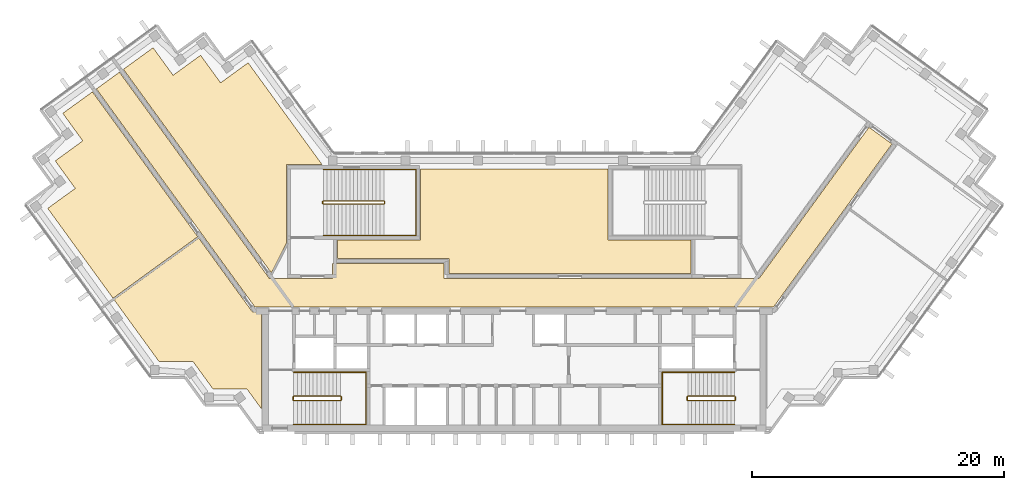
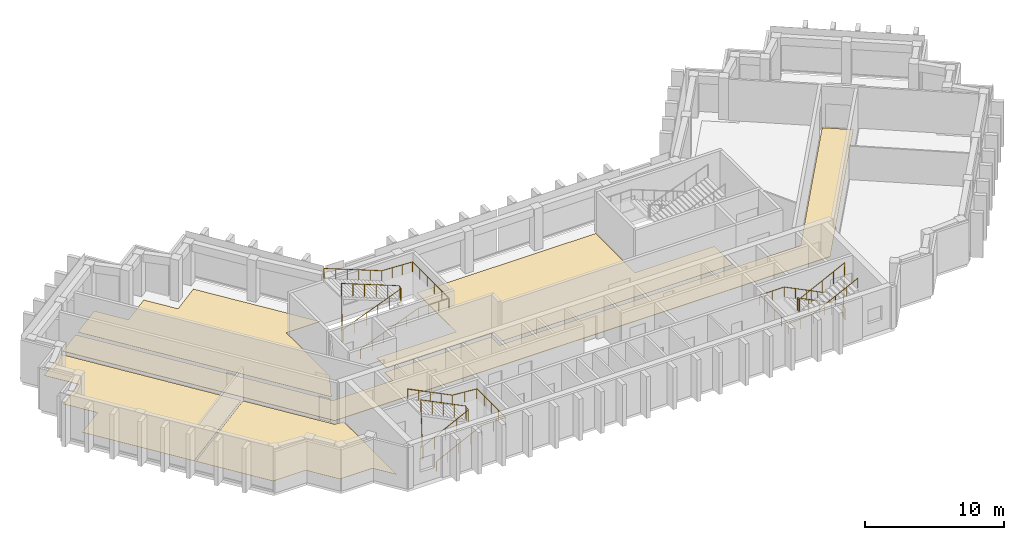
# One storey, part 7 of 8: 6 railings, 5 coverings.
"""IFC4 building model written with IfcOpenShell, lengths in metres."""

from ifc_helpers import new_model, si_unit, direction, frame, origin, origin_2d, place, context, subcontext, project, spatial, polyline, circle, outline, extrude, material, layer, layer_set, type_object, element, save


model = new_model("IFC4")

# Units and contexts
model_context = context("Model", 3, precision=1e-05, world=origin(), true_north=direction((0.0, 1.0)))
body_context = subcontext(model_context, "Body", "Model", "MODEL_VIEW")
ifc_project = project(units=[si_unit("LENGTHUNIT", "METRE"), si_unit("AREAUNIT", "SQUARE_METRE"), si_unit("VOLUMEUNIT", "CUBIC_METRE"), si_unit("PLANEANGLEUNIT", "RADIAN"), si_unit("MASSUNIT", "GRAM", prefix="KILO")], contexts=[model_context])

# Site, building, storey
site_placement = place(None, origin())
site = spatial("IfcSite", under=ifc_project, at=site_placement, CompositionType="ELEMENT")
building_placement = place(site_placement, origin())
building = spatial("IfcBuilding", under=site, at=building_placement, Name="Quipu Civic Tower", CompositionType="ELEMENT")
storey_placement = place(building_placement, frame((0.0, 0.0, 281.0)))
storey = spatial("IfcBuildingStorey", under=building, at=storey_placement, Name="L65", CompositionType="ELEMENT", Elevation=281.0)

# Coverings
ifc_material_1 = material(Name="Carpet tile on raised access floor")
ifc_layer_1 = layer(ifc_material_1, 0.02001953125)
ifc_layer_set_1 = layer_set([ifc_layer_1], Name="Carpet tile on raised access floor")
covering_type_1 = type_object("IfcCoveringType", Name="Carpet tile floor finish 20", PredefinedType="FLOORING", material=ifc_layer_set_1)
covering_1_placement = place(storey_placement, origin())
element("IfcCovering", 1, at=covering_1_placement, inside=storey, type_object=covering_type_1, Name="Carpet tile floor finish 20", PredefinedType="FLOORING", context=body_context, shape_type="SweptSolid", body=[
    extrude(outline(polyline([(-31.013916015625, 17.7451171875), (-28.658935546875, 19.455078125), (-27.073974609375, 17.27197265625), (-24.887939453125, 18.85791015625), (-23.301025390625, 16.675048828125), (-21.116943359375, 18.260986328125), (-15.238037109375, 10.169921875), (-18.070068359375, 10.1689453125), (-18.070068359375, 3.94189453125), (-19.27197265625, 1.583984375), (-31.013916015625, 17.7451171875)])), origin(), (0.0, 0.0, 1.0), 0.02001953125),
])
covering_2_placement = place(storey_placement, origin())
element("IfcCovering", 2, at=covering_2_placement, inside=storey, type_object=covering_type_1, Name="Carpet tile floor finish 20", PredefinedType="FLOORING", context=body_context, shape_type="SweptSolid", body=[
    extrude(outline(polyline([(-31.758056640625, -0.5390625), (-25.034912109375, 4.344970703125), (-20.77490234375, -1.51904296875), (-20.070068359375, -1.52001953125), (-20.070068359375, -9.195068359375), (-21.196044921875, -7.64599609375), (-23.89501953125, -7.64599609375), (-25.48193359375, -5.4619140625), (-28.181884765625, -5.4609375), (-31.758056640625, -0.5390625)])), origin(), (0.0, 0.0, 1.0), 0.02001953125),
])
covering_3_placement = place(storey_placement, origin())
element("IfcCovering", 3, at=covering_3_placement, inside=storey, type_object=covering_type_1, Name="Carpet tile floor finish 20", PredefinedType="FLOORING", context=body_context, shape_type="SweptSolid", body=[
    extrude(outline(polyline([(-37.02197265625, 6.7060546875), (-34.839111328125, 8.291015625), (-36.425048828125, 10.47607421875), (-34.240966796875, 12.06396484375), (-35.826904296875, 14.248046875), (-33.472900390625, 15.9580078125), (-25.117919921875, 4.4580078125), (-31.841064453125, -0.426025390625), (-37.02197265625, 6.7060546875)])), origin(), (0.0, 0.0, 1.0), 0.02001953125),
])
covering_4_placement = place(storey_placement, origin())
element("IfcCovering", 4, at=covering_4_placement, inside=storey, type_object=covering_type_1, Name="Carpet tile floor finish 20", PredefinedType="FLOORING", context=body_context, shape_type="SweptSolid", body=[
    extrude(outline(polyline([(-14.030029296875, 2.719970703125), (-14.030029296875, 4.179931640625), (-7.430908203125, 4.180908203125), (-7.429931640625, 9.830078125), (7.429931640625, 9.830078125), (7.430908203125, 4.179931640625), (14.030029296875, 4.179931640625), (14.030029296875, 1.52001953125), (-5.179931640625, 1.52001953125), (-5.181884765625, 2.719970703125), (-14.030029296875, 2.719970703125)])), origin(), (0.0, 0.0, 1.0), 0.02001953125),
])

# Railings
ifc_material_2 = material(Name="Stainless steel", Category="steel")
railing_type_1 = type_object("IfcRailingType", Name="Stair guard 1100", PredefinedType="GUARDRAIL", material=ifc_material_2)
railing_1_placement = place(storey_placement, frame((-17.5, -8.550048828125, 0.15380859375)))
element("IfcRailing", 5, at=railing_1_placement, inside=storey, type_object=railing_type_1, Name="Stair 1 guard", PredefinedType="GUARDRAIL", context=body_context, shape_type="SweptSolid", body=[
    extrude(circle(Radius=0.02392578125, at=origin_2d()), frame((0.0, 0.0, 1.076171875), z_axis=(0.895751851347, 0.0, 0.444554407028), x_axis=(0.0, 1.0, 0.0)), (0.0, 0.0, 1.0), 4.15283203125),
    extrude(circle(Radius=0.02392578125, at=origin_2d()), frame((3.719970703125, 0.0, 2.92236328125), z_axis=(0.707106781187, 0.707106781187, 0.0), x_axis=(-0.707106781187, 0.707106781187, 0.0)), (0.0, 0.0, 1.0), 0.07080078125),
    extrude(circle(Radius=0.02392578125, at=origin_2d()), frame((3.77001953125, 0.050048828125, 2.92236328125), z_axis=(0.0, 1.0, 0.0), x_axis=(-1.0, 0.0, 0.0)), (0.0, 0.0, 1.0), 0.25),
    extrude(circle(Radius=0.02392578125, at=origin_2d()), frame((3.77001953125, 0.300048828125, 2.92236328125), z_axis=(-0.295599637079, 0.295599637079, 0.908428152975), x_axis=(-0.707106781187, -0.707106781187, 0.0)), (0.0, 0.0, 1.0), 0.16943359375),
    extrude(circle(Radius=0.02392578125, at=origin_2d()), frame((3.719970703125, 0.35009765625, 3.076171875), z_axis=(-0.895751851347, 0.0, 0.444554407028), x_axis=(0.0, -1.0, 0.0)), (0.0, 0.0, 1.0), 4.15283203125),
    extrude(circle(Radius=0.02392578125, at=origin_2d()), frame((0.0, 0.35009765625, 4.92236328125), z_axis=(-0.012476181752, -0.074796231092, -0.997120789425), x_axis=(0.986372223864, -0.164529134168, 0.0)), (0.0, 0.0, 1.0), 4.011474609375),
    extrude(circle(Radius=0.02392578125, at=origin_2d()), frame((-0.050048828125, 0.050048828125, 0.92236328125), z_axis=(0.0, 1.0, 0.0), x_axis=(-1.0, 0.0, 0.0)), (0.0, 0.0, 1.0), 0.25),
    extrude(circle(Radius=0.02099609375, at=origin_2d()), origin(), (0.0, 0.0, 1.0), 1.052001953125),
    extrude(circle(Radius=0.02099609375, at=origin_2d()), frame((0.929931640625, 0.0, 0.46142578125)), (0.0, 0.0, 1.0), 1.052001953125),
    extrude(circle(Radius=0.02099609375, at=origin_2d()), frame((1.85986328125, 0.0, 0.923095703125)), (0.0, 0.0, 1.0), 1.052001953125),
    extrude(circle(Radius=0.02099609375, at=origin_2d()), frame((2.7900390625, 0.0, 1.384765625)), (0.0, 0.0, 1.0), 1.052001953125),
    extrude(circle(Radius=0.02099609375, at=origin_2d()), frame((3.719970703125, 0.0, 1.84619140625)), (0.0, 0.0, 1.0), 1.052001953125),
    extrude(circle(Radius=0.02099609375, at=origin_2d()), frame((3.77001953125, 0.050048828125, 1.84619140625)), (0.0, 0.0, 1.0), 1.052001953125),
    extrude(circle(Radius=0.02099609375, at=origin_2d()), frame((3.77001953125, 0.300048828125, 1.84619140625)), (0.0, 0.0, 1.0), 1.052001953125),
    extrude(circle(Radius=0.02099609375, at=origin_2d()), frame((3.719970703125, 0.35009765625, 2.0)), (0.0, 0.0, 1.0), 1.052001953125),
    extrude(circle(Radius=0.02099609375, at=origin_2d()), frame((2.7900390625, 0.35009765625, 2.46142578125)), (0.0, 0.0, 1.0), 1.052001953125),
    extrude(circle(Radius=0.02099609375, at=origin_2d()), frame((1.85986328125, 0.35009765625, 2.923095703125)), (0.0, 0.0, 1.0), 1.052001953125),
    extrude(circle(Radius=0.02099609375, at=origin_2d()), frame((0.929931640625, 0.35009765625, 3.384765625)), (0.0, 0.0, 1.0), 1.052001953125),
    extrude(circle(Radius=0.02099609375, at=origin_2d()), frame((0.0, 0.35009765625, 3.84619140625)), (0.0, 0.0, 1.0), 1.052001953125),
    extrude(circle(Radius=0.02099609375, at=origin_2d()), frame((-0.012451171875, 0.275146484375, 2.84619140625)), (0.0, 0.0, 1.0), 1.052001953125),
    extrude(circle(Radius=0.02099609375, at=origin_2d()), frame((-0.02490234375, 0.2001953125, 1.84619140625)), (0.0, 0.0, 1.0), 1.052001953125),
    extrude(circle(Radius=0.02099609375, at=origin_2d()), frame((-0.03759765625, 0.125, 0.84619140625)), (0.0, 0.0, 1.0), 1.052001953125),
    extrude(circle(Radius=0.02099609375, at=origin_2d()), frame((-0.050048828125, 0.050048828125, -0.15380859375)), (0.0, 0.0, 1.0), 1.052001953125),
    extrude(circle(Radius=0.02099609375, at=origin_2d()), frame((-0.050048828125, 0.300048828125, -0.15380859375)), (0.0, 0.0, 1.0), 1.052001953125),
])
railing_2_placement = place(storey_placement, frame((17.5, -8.199951171875, 0.15380859375)))
element("IfcRailing", 6, at=railing_2_placement, inside=storey, type_object=railing_type_1, Name="Stair 2 guard", PredefinedType="GUARDRAIL", context=body_context, shape_type="SweptSolid", body=[
    extrude(circle(Radius=0.02392578125, at=origin_2d()), frame((0.0, 0.0, 1.076171875), z_axis=(-0.895751851347, 0.0, 0.444554407028), x_axis=(0.0, -1.0, 0.0)), (0.0, 0.0, 1.0), 4.15283203125),
    extrude(circle(Radius=0.02392578125, at=origin_2d()), frame((-3.719970703125, 0.0, 2.92236328125), z_axis=(-0.707106781187, -0.707106781187, 0.0), x_axis=(0.707106781187, -0.707106781187, 0.0)), (0.0, 0.0, 1.0), 0.07080078125),
    extrude(circle(Radius=0.02392578125, at=origin_2d()), frame((-3.77001953125, -0.050048828125, 2.92236328125), z_axis=(0.0, -1.0, 0.0), x_axis=(1.0, 0.0, 0.0)), (0.0, 0.0, 1.0), 0.25),
    extrude(circle(Radius=0.02392578125, at=origin_2d()), frame((-3.77001953125, -0.300048828125, 2.92236328125), z_axis=(0.295599637079, -0.295599637079, 0.908428152975), x_axis=(0.707106781187, 0.707106781187, 0.0)), (0.0, 0.0, 1.0), 0.16943359375),
    extrude(circle(Radius=0.02392578125, at=origin_2d()), frame((-3.719970703125, -0.35009765625, 3.076171875), z_axis=(0.895751851347, 0.0, 0.444554407028), x_axis=(0.0, 1.0, 0.0)), (0.0, 0.0, 1.0), 4.15283203125),
    extrude(circle(Radius=0.02392578125, at=origin_2d()), frame((0.0, -0.35009765625, 4.92236328125), z_axis=(0.012476181752, 0.074796231092, -0.997120789425), x_axis=(-0.986372223864, 0.164529134168, 0.0)), (0.0, 0.0, 1.0), 4.011474609375),
    extrude(circle(Radius=0.02392578125, at=origin_2d()), frame((0.050048828125, -0.050048828125, 0.92236328125), z_axis=(0.0, -1.0, 0.0), x_axis=(1.0, 0.0, 0.0)), (0.0, 0.0, 1.0), 0.25),
    extrude(circle(Radius=0.02099609375, at=origin_2d()), origin(), (0.0, 0.0, 1.0), 1.052001953125),
    extrude(circle(Radius=0.02099609375, at=origin_2d()), frame((-0.929931640625, 0.0, 0.46142578125)), (0.0, 0.0, 1.0), 1.052001953125),
    extrude(circle(Radius=0.02099609375, at=origin_2d()), frame((-1.85986328125, 0.0, 0.923095703125)), (0.0, 0.0, 1.0), 1.052001953125),
    extrude(circle(Radius=0.02099609375, at=origin_2d()), frame((-2.7900390625, 0.0, 1.384765625)), (0.0, 0.0, 1.0), 1.052001953125),
    extrude(circle(Radius=0.02099609375, at=origin_2d()), frame((-3.719970703125, 0.0, 1.84619140625)), (0.0, 0.0, 1.0), 1.052001953125),
    extrude(circle(Radius=0.02099609375, at=origin_2d()), frame((-3.77001953125, -0.050048828125, 1.84619140625)), (0.0, 0.0, 1.0), 1.052001953125),
    extrude(circle(Radius=0.02099609375, at=origin_2d()), frame((-3.77001953125, -0.300048828125, 1.84619140625)), (0.0, 0.0, 1.0), 1.052001953125),
    extrude(circle(Radius=0.02099609375, at=origin_2d()), frame((-3.719970703125, -0.35009765625, 2.0)), (0.0, 0.0, 1.0), 1.052001953125),
    extrude(circle(Radius=0.02099609375, at=origin_2d()), frame((-2.7900390625, -0.35009765625, 2.46142578125)), (0.0, 0.0, 1.0), 1.052001953125),
    extrude(circle(Radius=0.02099609375, at=origin_2d()), frame((-1.85986328125, -0.35009765625, 2.923095703125)), (0.0, 0.0, 1.0), 1.052001953125),
    extrude(circle(Radius=0.02099609375, at=origin_2d()), frame((-0.929931640625, -0.35009765625, 3.384765625)), (0.0, 0.0, 1.0), 1.052001953125),
    extrude(circle(Radius=0.02099609375, at=origin_2d()), frame((0.0, -0.35009765625, 3.84619140625)), (0.0, 0.0, 1.0), 1.052001953125),
    extrude(circle(Radius=0.02099609375, at=origin_2d()), frame((0.012451171875, -0.275146484375, 2.84619140625)), (0.0, 0.0, 1.0), 1.052001953125),
    extrude(circle(Radius=0.02099609375, at=origin_2d()), frame((0.02490234375, -0.2001953125, 1.84619140625)), (0.0, 0.0, 1.0), 1.052001953125),
    extrude(circle(Radius=0.02099609375, at=origin_2d()), frame((0.03759765625, -0.125, 0.84619140625)), (0.0, 0.0, 1.0), 1.052001953125),
    extrude(circle(Radius=0.02099609375, at=origin_2d()), frame((0.050048828125, -0.050048828125, -0.15380859375)), (0.0, 0.0, 1.0), 1.052001953125),
    extrude(circle(Radius=0.02099609375, at=origin_2d()), frame((0.050048828125, -0.300048828125, -0.15380859375)), (0.0, 0.0, 1.0), 1.052001953125),
])
railing_3_placement = place(storey_placement, frame((-15.14990234375, 7.050048828125, 0.11767578125)))
element("IfcRailing", 7, at=railing_3_placement, inside=storey, type_object=railing_type_1, Name="Stair 3 guard", PredefinedType="GUARDRAIL", context=body_context, shape_type="SweptSolid", body=[
    extrude(circle(Radius=0.02392578125, at=origin_2d()), frame((0.0, 0.0, 1.076171875), z_axis=(0.930970042603, 0.0, 0.365095576219), x_axis=(0.0, 1.0, 0.0)), (0.0, 0.0, 1.0), 5.15576171875),
    extrude(circle(Radius=0.02392578125, at=origin_2d()), frame((4.7998046875, 0.0, 2.95849609375), z_axis=(0.707106781187, 0.707106781187, 0.0), x_axis=(-0.707106781187, 0.707106781187, 0.0)), (0.0, 0.0, 1.0), 0.07080078125),
    extrude(circle(Radius=0.02392578125, at=origin_2d()), frame((4.849853515625, 0.050048828125, 2.95849609375), z_axis=(0.0, 1.0, 0.0), x_axis=(-1.0, 0.0, 0.0)), (0.0, 0.0, 1.0), 0.14990234375),
    extrude(circle(Radius=0.02392578125, at=origin_2d()), frame((4.849853515625, 0.199951171875, 2.95849609375), z_axis=(-0.364463019033, 0.364463019033, 0.856932561824), x_axis=(-0.707106781187, -0.707106781187, 0.0)), (0.0, 0.0, 1.0), 0.13720703125),
    extrude(circle(Radius=0.02392578125, at=origin_2d()), frame((4.7998046875, 0.25, 3.076171875), z_axis=(-0.930970042603, 0.0, 0.365095576219), x_axis=(0.0, -1.0, 0.0)), (0.0, 0.0, 1.0), 5.15576171875),
    extrude(circle(Radius=0.02392578125, at=origin_2d()), frame((0.0, 0.25, 4.95849609375), z_axis=(-0.012495627992, -0.049921557685, -0.998674970829), x_axis=(0.970072785993, -0.242814311512, 0.0)), (0.0, 0.0, 1.0), 4.00537109375),
    extrude(circle(Radius=0.02392578125, at=origin_2d()), frame((-0.050048828125, 0.050048828125, 0.95849609375), z_axis=(0.0, 1.0, 0.0), x_axis=(-1.0, 0.0, 0.0)), (0.0, 0.0, 1.0), 0.14990234375),
    extrude(circle(Radius=0.02099609375, at=origin_2d()), origin(), (0.0, 0.0, 1.0), 1.052001953125),
    extrude(circle(Radius=0.02099609375, at=origin_2d()), frame((0.9599609375, 0.0, 0.37646484375)), (0.0, 0.0, 1.0), 1.052001953125),
    extrude(circle(Radius=0.02099609375, at=origin_2d()), frame((1.919921875, 0.0, 0.7529296875)), (0.0, 0.0, 1.0), 1.052001953125),
    extrude(circle(Radius=0.02099609375, at=origin_2d()), frame((2.8798828125, 0.0, 1.12939453125)), (0.0, 0.0, 1.0), 1.052001953125),
    extrude(circle(Radius=0.02099609375, at=origin_2d()), frame((3.83984375, 0.0, 1.505859375)), (0.0, 0.0, 1.0), 1.052001953125),
    extrude(circle(Radius=0.02099609375, at=origin_2d()), frame((4.7998046875, 0.0, 1.88232421875)), (0.0, 0.0, 1.0), 1.052001953125),
    extrude(circle(Radius=0.02099609375, at=origin_2d()), frame((4.849853515625, 0.050048828125, 1.88232421875)), (0.0, 0.0, 1.0), 1.052001953125),
    extrude(circle(Radius=0.02099609375, at=origin_2d()), frame((4.849853515625, 0.199951171875, 1.88232421875)), (0.0, 0.0, 1.0), 1.052001953125),
    extrude(circle(Radius=0.02099609375, at=origin_2d()), frame((4.7998046875, 0.25, 2.0)), (0.0, 0.0, 1.0), 1.052001953125),
    extrude(circle(Radius=0.02099609375, at=origin_2d()), frame((3.83984375, 0.25, 2.37646484375)), (0.0, 0.0, 1.0), 1.052001953125),
    extrude(circle(Radius=0.02099609375, at=origin_2d()), frame((2.8798828125, 0.25, 2.7529296875)), (0.0, 0.0, 1.0), 1.052001953125),
    extrude(circle(Radius=0.02099609375, at=origin_2d()), frame((1.919921875, 0.25, 3.12939453125)), (0.0, 0.0, 1.0), 1.052001953125),
    extrude(circle(Radius=0.02099609375, at=origin_2d()), frame((0.9599609375, 0.25, 3.505859375)), (0.0, 0.0, 1.0), 1.052001953125),
    extrude(circle(Radius=0.02099609375, at=origin_2d()), frame((0.0, 0.25, 3.88232421875)), (0.0, 0.0, 1.0), 1.052001953125),
    extrude(circle(Radius=0.02099609375, at=origin_2d()), frame((-0.012451171875, 0.199951171875, 2.88232421875)), (0.0, 0.0, 1.0), 1.052001953125),
    extrude(circle(Radius=0.02099609375, at=origin_2d()), frame((-0.02490234375, 0.14990234375, 1.88232421875)), (0.0, 0.0, 1.0), 1.052001953125),
    extrude(circle(Radius=0.02099609375, at=origin_2d()), frame((-0.03759765625, 0.10009765625, 0.88232421875)), (0.0, 0.0, 1.0), 1.052001953125),
    extrude(circle(Radius=0.02099609375, at=origin_2d()), frame((-0.050048828125, 0.050048828125, -0.11767578125)), (0.0, 0.0, 1.0), 1.052001953125),
    extrude(circle(Radius=0.02099609375, at=origin_2d()), frame((-0.050048828125, 0.199951171875, -0.11767578125)), (0.0, 0.0, 1.0), 1.052001953125),
])
ifc_material_3 = material(Name="Stainless steel", Category="steel")
railing_type_2 = type_object("IfcRailingType", Name="Stair handrail", PredefinedType="HANDRAIL", material=ifc_material_3)
railing_4_placement = place(storey_placement, frame((-17.5, -10.449951171875, 0.15380859375)))
element("IfcRailing", 8, at=railing_4_placement, inside=storey, type_object=railing_type_2, Name="Stair 1 handrail", PredefinedType="HANDRAIL", context=body_context, shape_type="SweptSolid", body=[
    extrude(circle(Radius=0.02392578125, at=origin_2d()), frame((0.0, 0.0, 0.8759765625), z_axis=(0.895751851347, 0.0, 0.444554407028), x_axis=(0.0, 1.0, 0.0)), (0.0, 0.0, 1.0), 4.15283203125),
    extrude(circle(Radius=0.02392578125, at=origin_2d()), frame((3.719970703125, 0.0, 2.72216796875), z_axis=(1.0, 0.0, 0.0), x_axis=(0.0, 1.0, 0.0)), (0.0, 0.0, 1.0), 2.030029296875),
    extrude(circle(Radius=0.02392578125, at=origin_2d()), frame((5.75, 0.0, 2.72216796875), z_axis=(0.0, 1.0, 0.0), x_axis=(-1.0, 0.0, 0.0)), (0.0, 0.0, 1.0), 4.14990234375),
    extrude(circle(Radius=0.02392578125, at=origin_2d()), frame((5.75, 4.14990234375, 2.72216796875), z_axis=(-0.997142003663, 0.0, 0.075550145798), x_axis=(0.0, -1.0, 0.0)), (0.0, 0.0, 1.0), 2.035888671875),
    extrude(circle(Radius=0.02392578125, at=origin_2d()), frame((3.719970703125, 4.14990234375, 2.8759765625), z_axis=(-0.895751851347, 0.0, 0.444554407028), x_axis=(0.0, -1.0, 0.0)), (0.0, 0.0, 1.0), 4.15283203125),
    extrude(circle(Radius=0.02099609375, at=origin_2d()), origin(), (0.0, 0.0, 1.0), 0.851806640625),
    extrude(circle(Radius=0.02099609375, at=origin_2d()), frame((0.929931640625, 0.0, 0.46142578125)), (0.0, 0.0, 1.0), 0.851806640625),
    extrude(circle(Radius=0.02099609375, at=origin_2d()), frame((1.85986328125, 0.0, 0.923095703125)), (0.0, 0.0, 1.0), 0.851806640625),
    extrude(circle(Radius=0.02099609375, at=origin_2d()), frame((2.7900390625, 0.0, 1.384765625)), (0.0, 0.0, 1.0), 0.851806640625),
    extrude(circle(Radius=0.02099609375, at=origin_2d()), frame((3.719970703125, 0.0, 1.84619140625)), (0.0, 0.0, 1.0), 0.851806640625),
    extrude(circle(Radius=0.02099609375, at=origin_2d()), frame((4.73486328125, 0.0, 1.84619140625)), (0.0, 0.0, 1.0), 0.851806640625),
    extrude(circle(Radius=0.02099609375, at=origin_2d()), frame((5.75, 0.0, 1.84619140625)), (0.0, 0.0, 1.0), 0.851806640625),
    extrude(circle(Radius=0.02099609375, at=origin_2d()), frame((5.75, 1.03759765625, 1.84619140625)), (0.0, 0.0, 1.0), 0.851806640625),
    extrude(circle(Radius=0.02099609375, at=origin_2d()), frame((5.75, 2.074951171875, 1.84619140625)), (0.0, 0.0, 1.0), 0.851806640625),
    extrude(circle(Radius=0.02099609375, at=origin_2d()), frame((5.75, 3.1123046875, 1.84619140625)), (0.0, 0.0, 1.0), 0.851806640625),
    extrude(circle(Radius=0.02099609375, at=origin_2d()), frame((5.75, 4.14990234375, 1.84619140625)), (0.0, 0.0, 1.0), 0.851806640625),
    extrude(circle(Radius=0.02099609375, at=origin_2d()), frame((4.73486328125, 4.14990234375, 1.923095703125)), (0.0, 0.0, 1.0), 0.851806640625),
    extrude(circle(Radius=0.02099609375, at=origin_2d()), frame((3.719970703125, 4.14990234375, 2.0)), (0.0, 0.0, 1.0), 0.851806640625),
    extrude(circle(Radius=0.02099609375, at=origin_2d()), frame((2.7900390625, 4.14990234375, 2.46142578125)), (0.0, 0.0, 1.0), 0.851806640625),
    extrude(circle(Radius=0.02099609375, at=origin_2d()), frame((1.85986328125, 4.14990234375, 2.923095703125)), (0.0, 0.0, 1.0), 0.851806640625),
    extrude(circle(Radius=0.02099609375, at=origin_2d()), frame((0.929931640625, 4.14990234375, 3.384765625)), (0.0, 0.0, 1.0), 0.851806640625),
    extrude(circle(Radius=0.02099609375, at=origin_2d()), frame((0.0, 4.14990234375, 3.84619140625)), (0.0, 0.0, 1.0), 0.851806640625),
])
railing_5_placement = place(storey_placement, frame((17.5, -6.300048828125, 0.15380859375)))
element("IfcRailing", 9, at=railing_5_placement, inside=storey, type_object=railing_type_2, Name="Stair 2 handrail", PredefinedType="HANDRAIL", context=body_context, shape_type="SweptSolid", body=[
    extrude(circle(Radius=0.02392578125, at=origin_2d()), frame((0.0, 0.0, 0.8759765625), z_axis=(-0.895751851347, 0.0, 0.444554407028), x_axis=(0.0, -1.0, 0.0)), (0.0, 0.0, 1.0), 4.15283203125),
    extrude(circle(Radius=0.02392578125, at=origin_2d()), frame((-3.719970703125, 0.0, 2.72216796875), z_axis=(-1.0, 0.0, 0.0), x_axis=(0.0, -1.0, 0.0)), (0.0, 0.0, 1.0), 2.030029296875),
    extrude(circle(Radius=0.02392578125, at=origin_2d()), frame((-5.75, 0.0, 2.72216796875), z_axis=(0.0, -1.0, 0.0), x_axis=(1.0, 0.0, 0.0)), (0.0, 0.0, 1.0), 4.14990234375),
    extrude(circle(Radius=0.02392578125, at=origin_2d()), frame((-5.75, -4.14990234375, 2.72216796875), z_axis=(0.997142003663, 0.0, 0.075550145798), x_axis=(0.0, 1.0, 0.0)), (0.0, 0.0, 1.0), 2.035888671875),
    extrude(circle(Radius=0.02392578125, at=origin_2d()), frame((-3.719970703125, -4.14990234375, 2.8759765625), z_axis=(0.895751851347, 0.0, 0.444554407028), x_axis=(0.0, 1.0, 0.0)), (0.0, 0.0, 1.0), 4.15283203125),
    extrude(circle(Radius=0.02099609375, at=origin_2d()), origin(), (0.0, 0.0, 1.0), 0.851806640625),
    extrude(circle(Radius=0.02099609375, at=origin_2d()), frame((-0.929931640625, 0.0, 0.46142578125)), (0.0, 0.0, 1.0), 0.851806640625),
    extrude(circle(Radius=0.02099609375, at=origin_2d()), frame((-1.85986328125, 0.0, 0.923095703125)), (0.0, 0.0, 1.0), 0.851806640625),
    extrude(circle(Radius=0.02099609375, at=origin_2d()), frame((-2.7900390625, 0.0, 1.384765625)), (0.0, 0.0, 1.0), 0.851806640625),
    extrude(circle(Radius=0.02099609375, at=origin_2d()), frame((-3.719970703125, 0.0, 1.84619140625)), (0.0, 0.0, 1.0), 0.851806640625),
    extrude(circle(Radius=0.02099609375, at=origin_2d()), frame((-4.73486328125, 0.0, 1.84619140625)), (0.0, 0.0, 1.0), 0.851806640625),
    extrude(circle(Radius=0.02099609375, at=origin_2d()), frame((-5.75, 0.0, 1.84619140625)), (0.0, 0.0, 1.0), 0.851806640625),
    extrude(circle(Radius=0.02099609375, at=origin_2d()), frame((-5.75, -1.03759765625, 1.84619140625)), (0.0, 0.0, 1.0), 0.851806640625),
    extrude(circle(Radius=0.02099609375, at=origin_2d()), frame((-5.75, -2.074951171875, 1.84619140625)), (0.0, 0.0, 1.0), 0.851806640625),
    extrude(circle(Radius=0.02099609375, at=origin_2d()), frame((-5.75, -3.1123046875, 1.84619140625)), (0.0, 0.0, 1.0), 0.851806640625),
    extrude(circle(Radius=0.02099609375, at=origin_2d()), frame((-5.75, -4.14990234375, 1.84619140625)), (0.0, 0.0, 1.0), 0.851806640625),
    extrude(circle(Radius=0.02099609375, at=origin_2d()), frame((-4.73486328125, -4.14990234375, 1.923095703125)), (0.0, 0.0, 1.0), 0.851806640625),
    extrude(circle(Radius=0.02099609375, at=origin_2d()), frame((-3.719970703125, -4.14990234375, 2.0)), (0.0, 0.0, 1.0), 0.851806640625),
    extrude(circle(Radius=0.02099609375, at=origin_2d()), frame((-2.7900390625, -4.14990234375, 2.46142578125)), (0.0, 0.0, 1.0), 0.851806640625),
    extrude(circle(Radius=0.02099609375, at=origin_2d()), frame((-1.85986328125, -4.14990234375, 2.923095703125)), (0.0, 0.0, 1.0), 0.851806640625),
    extrude(circle(Radius=0.02099609375, at=origin_2d()), frame((-0.929931640625, -4.14990234375, 3.384765625)), (0.0, 0.0, 1.0), 0.851806640625),
    extrude(circle(Radius=0.02099609375, at=origin_2d()), frame((0.0, -4.14990234375, 3.84619140625)), (0.0, 0.0, 1.0), 0.851806640625),
])
railing_6_placement = place(storey_placement, frame((-15.14990234375, 4.550048828125, 0.11767578125)))
element("IfcRailing", 10, at=railing_6_placement, inside=storey, type_object=railing_type_2, Name="Stair 3 handrail", PredefinedType="HANDRAIL", context=body_context, shape_type="SweptSolid", body=[
    extrude(circle(Radius=0.02392578125, at=origin_2d()), frame((0.0, 0.0, 0.8759765625), z_axis=(0.930970042603, 0.0, 0.365095576219), x_axis=(0.0, 1.0, 0.0)), (0.0, 0.0, 1.0), 5.15576171875),
    extrude(circle(Radius=0.02392578125, at=origin_2d()), frame((4.7998046875, 0.0, 2.75830078125), z_axis=(1.0, 0.0, 0.0), x_axis=(0.0, 1.0, 0.0)), (0.0, 0.0, 1.0), 2.550048828125),
    extrude(circle(Radius=0.02392578125, at=origin_2d()), frame((7.349853515625, 0.0, 2.75830078125), z_axis=(0.0, 1.0, 0.0), x_axis=(-1.0, 0.0, 0.0)), (0.0, 0.0, 1.0), 5.25),
    extrude(circle(Radius=0.02392578125, at=origin_2d()), frame((7.349853515625, 5.25, 2.75830078125), z_axis=(-0.998936948642, 0.0, 0.04609742549), x_axis=(0.0, -1.0, 0.0)), (0.0, 0.0, 1.0), 2.552734375),
    extrude(circle(Radius=0.02392578125, at=origin_2d()), frame((4.7998046875, 5.25, 2.8759765625), z_axis=(-0.930970042603, 0.0, 0.365095576219), x_axis=(0.0, -1.0, 0.0)), (0.0, 0.0, 1.0), 5.15576171875),
    extrude(circle(Radius=0.02099609375, at=origin_2d()), origin(), (0.0, 0.0, 1.0), 0.851806640625),
    extrude(circle(Radius=0.02099609375, at=origin_2d()), frame((0.9599609375, 0.0, 0.37646484375)), (0.0, 0.0, 1.0), 0.851806640625),
    extrude(circle(Radius=0.02099609375, at=origin_2d()), frame((1.919921875, 0.0, 0.7529296875)), (0.0, 0.0, 1.0), 0.851806640625),
    extrude(circle(Radius=0.02099609375, at=origin_2d()), frame((2.8798828125, 0.0, 1.12939453125)), (0.0, 0.0, 1.0), 0.851806640625),
    extrude(circle(Radius=0.02099609375, at=origin_2d()), frame((3.83984375, 0.0, 1.505859375)), (0.0, 0.0, 1.0), 0.851806640625),
    extrude(circle(Radius=0.02099609375, at=origin_2d()), frame((4.7998046875, 0.0, 1.88232421875)), (0.0, 0.0, 1.0), 0.851806640625),
    extrude(circle(Radius=0.02099609375, at=origin_2d()), frame((5.64990234375, 0.0, 1.88232421875)), (0.0, 0.0, 1.0), 0.851806640625),
    extrude(circle(Radius=0.02099609375, at=origin_2d()), frame((6.499755859375, 0.0, 1.88232421875)), (0.0, 0.0, 1.0), 0.851806640625),
    extrude(circle(Radius=0.02099609375, at=origin_2d()), frame((7.349853515625, 0.0, 1.88232421875)), (0.0, 0.0, 1.0), 0.851806640625),
    extrude(circle(Radius=0.02099609375, at=origin_2d()), frame((7.349853515625, 1.050048828125, 1.88232421875)), (0.0, 0.0, 1.0), 0.851806640625),
    extrude(circle(Radius=0.02099609375, at=origin_2d()), frame((7.349853515625, 2.10009765625, 1.88232421875)), (0.0, 0.0, 1.0), 0.851806640625),
    extrude(circle(Radius=0.02099609375, at=origin_2d()), frame((7.349853515625, 3.14990234375, 1.88232421875)), (0.0, 0.0, 1.0), 0.851806640625),
    extrude(circle(Radius=0.02099609375, at=origin_2d()), frame((7.349853515625, 4.199951171875, 1.88232421875)), (0.0, 0.0, 1.0), 0.851806640625),
    extrude(circle(Radius=0.02099609375, at=origin_2d()), frame((7.349853515625, 5.25, 1.88232421875)), (0.0, 0.0, 1.0), 0.851806640625),
    extrude(circle(Radius=0.02099609375, at=origin_2d()), frame((6.499755859375, 5.25, 1.921630859375)), (0.0, 0.0, 1.0), 0.851806640625),
    extrude(circle(Radius=0.02099609375, at=origin_2d()), frame((5.64990234375, 5.25, 1.960693359375)), (0.0, 0.0, 1.0), 0.851806640625),
    extrude(circle(Radius=0.02099609375, at=origin_2d()), frame((4.7998046875, 5.25, 2.0)), (0.0, 0.0, 1.0), 0.851806640625),
    extrude(circle(Radius=0.02099609375, at=origin_2d()), frame((3.83984375, 5.25, 2.37646484375)), (0.0, 0.0, 1.0), 0.851806640625),
    extrude(circle(Radius=0.02099609375, at=origin_2d()), frame((2.8798828125, 5.25, 2.7529296875)), (0.0, 0.0, 1.0), 0.851806640625),
    extrude(circle(Radius=0.02099609375, at=origin_2d()), frame((1.919921875, 5.25, 3.12939453125)), (0.0, 0.0, 1.0), 0.851806640625),
    extrude(circle(Radius=0.02099609375, at=origin_2d()), frame((0.9599609375, 5.25, 3.505859375)), (0.0, 0.0, 1.0), 0.851806640625),
    extrude(circle(Radius=0.02099609375, at=origin_2d()), frame((0.0, 5.25, 3.88232421875)), (0.0, 0.0, 1.0), 0.851806640625),
])

# Covering
ifc_material_4 = material(Name="Terrazzo floor finish")
ifc_layer_2 = layer(ifc_material_4, 0.0400390625)
ifc_layer_set_2 = layer_set([ifc_layer_2], Name="Terrazzo floor finish")
covering_type_2 = type_object("IfcCoveringType", Name="Terrazzo floor finish 40", PredefinedType="FLOORING", material=ifc_layer_set_2)
covering_5_placement = place(storey_placement, origin())
element("IfcCovering", 11, at=covering_5_placement, inside=storey, type_object=covering_type_2, Name="Terrazzo floor finish 40", PredefinedType="FLOORING", context=body_context, shape_type="SweptSolid", body=[
    extrude(outline(polyline([(-5.570068359375, 1.1298828125), (19.425048828125, 1.1298828125), (28.155029296875, 13.14697265625), (29.98291015625, 11.819091796875), (20.574951171875, -1.1298828125), (-20.574951171875, -1.1298828125), (-33.157958984375, 16.18798828125), (-31.3291015625, 17.51611328125), (-19.425048828125, 1.1298828125), (-14.429931640625, 1.1298828125), (-14.429931640625, 2.330078125), (-5.570068359375, 2.330078125), (-5.570068359375, 1.1298828125)])), origin(), (0.0, 0.0, 1.0), 0.0400390625),
])

save(model, "model.ifc")
